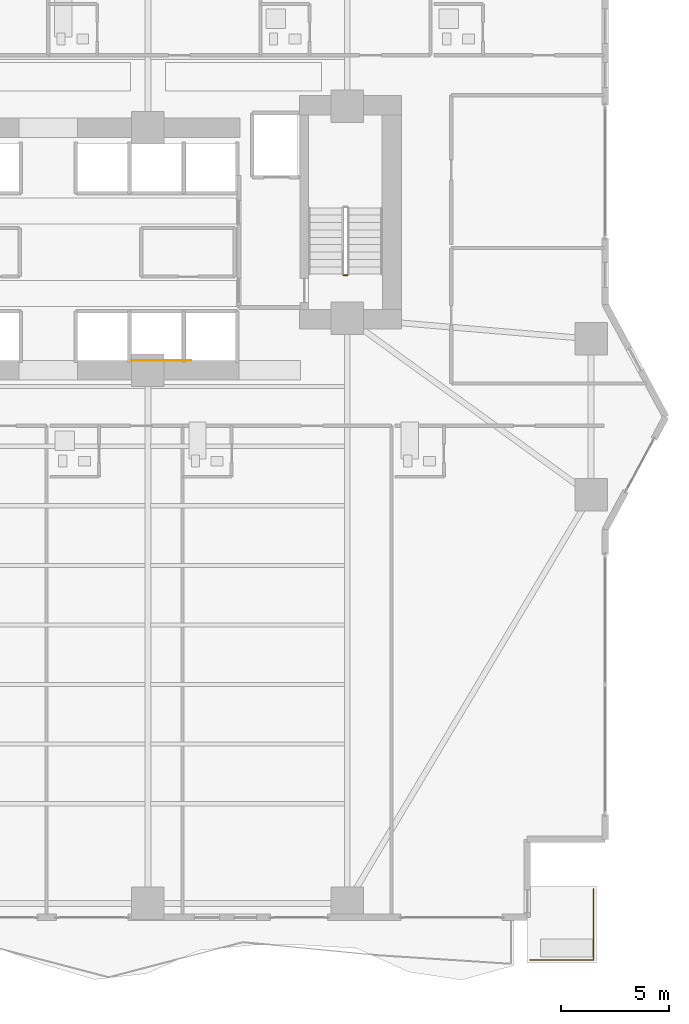
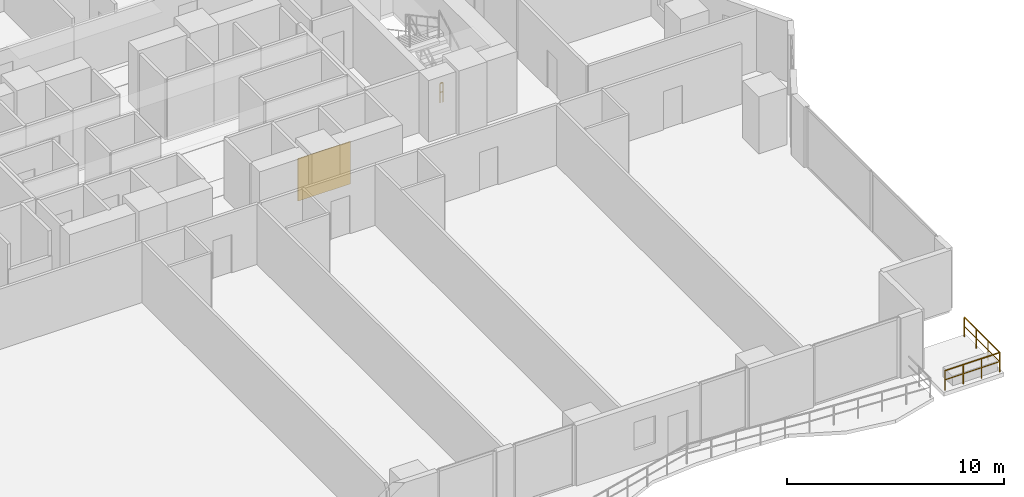
# One storey, part 26 of 30: 2 railings, 1 covering.
"""IFC4 building model written with IfcOpenShell, lengths in metres."""

from ifc_helpers import new_model, si_unit, direction, frame, origin, origin_2d, place, context, subcontext, project, spatial, rectangle, extrude, material, layer, layer_set, type_object, element, save


model = new_model("IFC4")

# Units and contexts
model_context = context("Model", 3, precision=1e-05, world=origin(), true_north=direction((0.0, 1.0)))
body_context = subcontext(model_context, "Body", "Model", "MODEL_VIEW")
ifc_project = project(units=[si_unit("LENGTHUNIT", "METRE"), si_unit("AREAUNIT", "SQUARE_METRE"), si_unit("VOLUMEUNIT", "CUBIC_METRE"), si_unit("PLANEANGLEUNIT", "RADIAN"), si_unit("MASSUNIT", "GRAM", prefix="KILO")], contexts=[model_context])

# Site, building, storey
site_placement = place(None, origin())
site = spatial("IfcSite", under=ifc_project, at=site_placement, CompositionType="ELEMENT")
building_placement = place(site_placement, origin())
building = spatial("IfcBuilding", under=site, at=building_placement, Name="Zuhayl Quay Hotel", CompositionType="ELEMENT")
storey_placement = place(building_placement, frame((0.0, 0.0, 86.0)))
storey = spatial("IfcBuildingStorey", under=building, at=storey_placement, Name="L21", CompositionType="ELEMENT", Elevation=86.0)

# Covering
ifc_material_1 = material(Name="Acoustic Walnut Feature Timber", Category="wood")
ifc_layer = layer(ifc_material_1, 0.02197265625, Name="Acoustic Walnut Feature Timber", Category="wood")
ifc_layer_set = layer_set([ifc_layer], Name="Acoustic Walnut Feature Timber")
covering_type = type_object("IfcCoveringType", Name="CV_WALL_CLAD", PredefinedType="CLADDING", material=ifc_layer_set)
covering_placement = place(storey_placement, frame((5.199951171875, 2.611083984375, 0.300048828125), z_axis=(0.0, 0.0, 1.0), x_axis=(1.0, 0.0, 0.0)))
element("IfcCovering", 1, at=covering_placement, inside=storey, type_object=covering_type, Name="L21 Feature Lobby Walnut Wall Cladding E", PredefinedType="CLADDING", context=body_context, shape_type="SweptSolid", body=[
    extrude(rectangle(XDim=2.800048828125, YDim=0.02197265625, at=origin_2d()), origin(), (0.0, 0.0, 1.0), 2.39990234375),
])

# Railings
ifc_material_2 = material(Name="Anodised Aluminium and Laminated Glass", Category="aluminium")
railing_type_1 = type_object("IfcRailingType", Name="RL_EXT_BAL_1100", PredefinedType="BALUSTRADE", material=ifc_material_2)
railing_1_placement = place(storey_placement, frame((22.239990234375, -25.06005859375, 0.0)))
element("IfcRailing", 2, at=railing_1_placement, inside=storey, type_object=railing_type_1, Name="L21 Balcony and Terrace Guard GR_L21_SPIRAL_SE", PredefinedType="BALUSTRADE", context=body_context, shape_type="SweptSolid", body=[
    extrude(rectangle(XDim=0.048095703125, YDim=0.048095703125, at=origin_2d()), frame((0.0, 0.0, 1.09619140625), z_axis=(1.0, 0.0, 0.0), x_axis=(0.0, 1.0, 0.0)), (0.0, 0.0, 1.0), 2.919921875),
    extrude(rectangle(XDim=0.0361328125, YDim=0.0361328125, at=origin_2d()), frame((0.0, 0.0, 0.58251953125), z_axis=(1.0, 0.0, 0.0), x_axis=(0.0, 1.0, 0.0)), (0.0, 0.0, 1.0), 2.919921875),
    extrude(rectangle(XDim=0.048095703125, YDim=0.048095703125, at=origin_2d()), frame((2.919921875, 0.0, 1.09619140625), z_axis=(0.0, 1.0, 0.0), x_axis=(-1.0, 0.0, 0.0)), (0.0, 0.0, 1.0), 3.27001953125),
    extrude(rectangle(XDim=0.0361328125, YDim=0.0361328125, at=origin_2d()), frame((2.919921875, 0.0, 0.58251953125), z_axis=(0.0, 1.0, 0.0), x_axis=(-1.0, 0.0, 0.0)), (0.0, 0.0, 1.0), 3.27001953125),
    extrude(rectangle(XDim=0.0419921875, YDim=0.0419921875, at=origin_2d()), origin(), (0.0, 0.0, 1.0), 1.072021484375),
    extrude(rectangle(XDim=0.0419921875, YDim=0.0419921875, at=origin_2d()), frame((0.973388671875, 0.0, 0.0)), (0.0, 0.0, 1.0), 1.072021484375),
    extrude(rectangle(XDim=0.0419921875, YDim=0.0419921875, at=origin_2d()), frame((1.946533203125, 0.0, 0.0)), (0.0, 0.0, 1.0), 1.072021484375),
    extrude(rectangle(XDim=0.0419921875, YDim=0.0419921875, at=origin_2d()), frame((2.919921875, 0.0, 0.0)), (0.0, 0.0, 1.0), 1.072021484375),
    extrude(rectangle(XDim=0.0419921875, YDim=0.0419921875, at=origin_2d()), frame((2.919921875, 1.090087890625, 0.0)), (0.0, 0.0, 1.0), 1.072021484375),
    extrude(rectangle(XDim=0.0419921875, YDim=0.0419921875, at=origin_2d()), frame((2.919921875, 2.179931640625, 0.0)), (0.0, 0.0, 1.0), 1.072021484375),
    extrude(rectangle(XDim=0.0419921875, YDim=0.0419921875, at=origin_2d()), frame((2.919921875, 3.27001953125, 0.0)), (0.0, 0.0, 1.0), 1.072021484375),
])
ifc_material_3 = material(Name="Steel ASTM A992 Grade 50", Category="steel")
railing_type_2 = type_object("IfcRailingType", Name="RL_GUARD_1100", PredefinedType="GUARDRAIL", material=ifc_material_3)
railing_2_placement = place(storey_placement, frame((13.7900390625, 6.5400390625, 0.0)))
element("IfcRailing", 3, at=railing_2_placement, inside=storey, type_object=railing_type_2, Name="L21 ST2 stair guard 4", PredefinedType="GUARDRAIL", context=body_context, shape_type="SweptSolid", body=[
    extrude(rectangle(XDim=0.048095703125, YDim=0.048095703125, at=origin_2d()), frame((0.0, 0.0, 1.09619140625), z_axis=(-1.0, 0.0, 0.0), x_axis=(0.0, -1.0, 0.0)), (0.0, 0.0, 1.0), 0.150146484375),
    extrude(rectangle(XDim=0.0361328125, YDim=0.0361328125, at=origin_2d()), frame((0.0, 0.0, 0.58251953125), z_axis=(-1.0, 0.0, 0.0), x_axis=(0.0, -1.0, 0.0)), (0.0, 0.0, 1.0), 0.150146484375),
    extrude(rectangle(XDim=0.0419921875, YDim=0.0419921875, at=origin_2d()), origin(), (0.0, 0.0, 1.0), 1.072021484375),
    extrude(rectangle(XDim=0.0419921875, YDim=0.0419921875, at=origin_2d()), frame((-0.150146484375, 0.0, 0.0)), (0.0, 0.0, 1.0), 1.072021484375),
])

save(model, "model.ifc")
